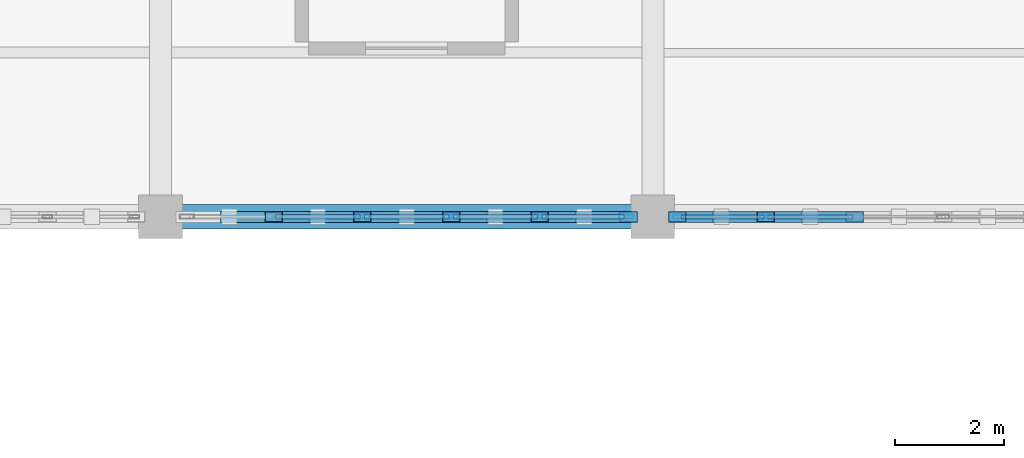
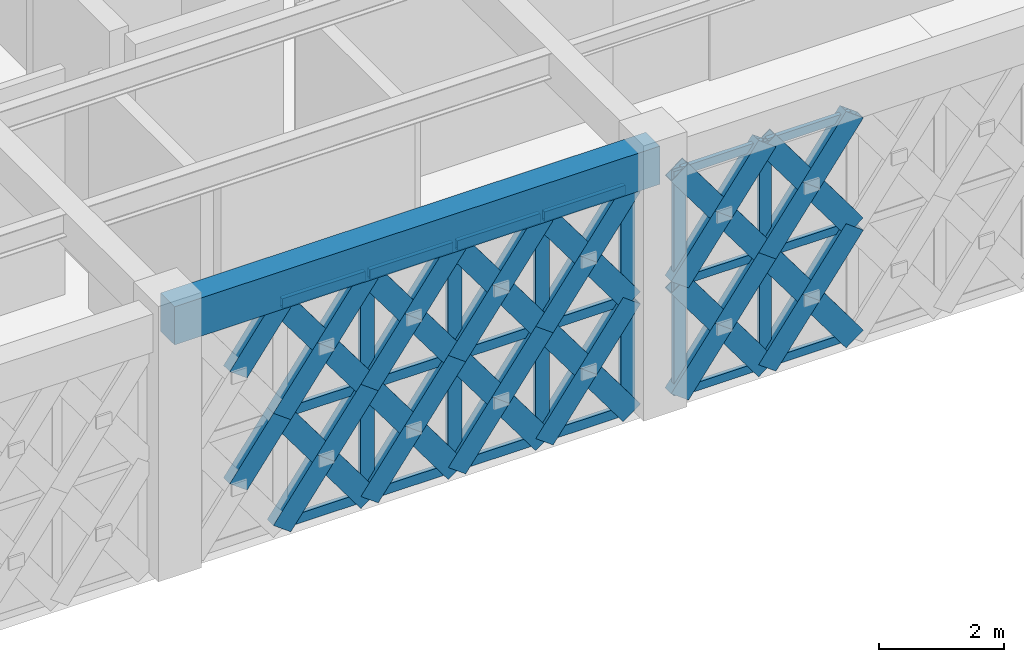
# One storey, part 36 of 86: 62 members, 1 beam, 2 elements without a shape of their own.
"""IFC4 building model written with IfcOpenShell, lengths in metres."""

from ifc_helpers import new_model, si_unit, direction, frame, origin, origin_2d, place, context, subcontext, project, spatial, rectangle, hollow_rectangle, extrude, material, material_profile, profile_set, type_object, element, aggregate, save


model = new_model("IFC4")

# Units and contexts
model_context = context("Model", 3, precision=1e-05, world=origin(), true_north=direction((0.0, 1.0)))
body_context = subcontext(model_context, "Body", "Model", "MODEL_VIEW")
ifc_project = project(units=[si_unit("LENGTHUNIT", "METRE"), si_unit("AREAUNIT", "SQUARE_METRE"), si_unit("VOLUMEUNIT", "CUBIC_METRE"), si_unit("PLANEANGLEUNIT", "RADIAN"), si_unit("MASSUNIT", "GRAM", prefix="KILO")], contexts=[model_context])

# Site, building, storey
site_placement = place(None, origin())
site = spatial("IfcSite", under=ifc_project, at=site_placement, CompositionType="ELEMENT")
building_placement = place(site_placement, origin())
building = spatial("IfcBuilding", under=site, at=building_placement, Name="Haizhuo Lancet Aquarium", CompositionType="ELEMENT")
storey_placement = place(building_placement, frame((0.0, 0.0, 16.199951171875)))
storey = spatial("IfcBuildingStorey", under=building, at=storey_placement, Name="L03", CompositionType="ELEMENT", Elevation=16.199951171875)

# Beam
ifc_material_1 = material(Name="Concrete C40/50", Category="concrete")
ifc_material_profile_1 = material_profile(ifc_material_1, rectangle(XDim=0.449951171875, YDim=0.75, at=origin_2d()), Name="RC-BM 450x750")
ifc_profile_set_1 = profile_set([ifc_material_profile_1], Name="Concrete C40/50")
beam_type = type_object("IfcBeamType", Name="BM-RC-450x750", PredefinedType="BEAM", material=ifc_profile_set_1)
beam_placement = place(storey_placement, frame((-9.0, 36.0, 4.775146484375), z_axis=(1.0, 0.0, 0.0), x_axis=(0.0, 1.0, 0.0)))
element("IfcBeam", 1, at=beam_placement, inside=storey, type_object=beam_type, Name="L03 V5 primary girder BM-L03-V5-009", PredefinedType="BEAM", context=body_context, shape_type="SweptSolid", body=[
    extrude(rectangle(XDim=0.449951171875, YDim=0.75, at=origin_2d()), origin(), (0.0, 0.0, 1.0), 9.0),
])

# Curtain wall, members
ifc_material_2 = material(Name="Aluminium 6063-T6", Category="aluminium")
curtain_wall_type = type_object("IfcCurtainWallType", Name="CWD-8110x4400", PredefinedType="NOTDEFINED", material=ifc_material_2)
curtain_wall_1_placement = place(storey_placement, origin())
curtain_wall_1 = element("IfcCurtainWall", 2, at=curtain_wall_1_placement, inside=storey, type_object=curtain_wall_type, Name="L03 curtain wall CW-V5-L03-170", PredefinedType="NOTDEFINED")
ifc_material_profile_2 = material_profile(ifc_material_2, hollow_rectangle(XDim=0.074951171875, YDim=0.219970703125, WallThickness=0.0048828125, at=origin_2d()), Name="ALU-M 75x220x5")
ifc_profile_set_2 = profile_set([ifc_material_profile_2], Name="Aluminium 6063-T6")
member_type_1 = type_object("IfcMemberType", Name="CW-MUL-2", PredefinedType="MULLION", material=ifc_profile_set_2)
member_1_placement = place(storey_placement, frame((2.06689453125, 36.0, 0.0), z_axis=(0.0, 0.0, 1.0), x_axis=(0.0, -1.0, 0.0)))
member_1 = element("IfcMember", 3, at=member_1_placement, type_object=member_type_1, Name="CWD-81x44 mullion 5", PredefinedType="MULLION", context=body_context, shape_type="SweptSolid", body=[
    extrude(hollow_rectangle(XDim=0.074951171875, YDim=0.219970703125, WallThickness=0.0048828125, at=origin_2d()), origin(), (0.0, 0.0, 1.0), 4.400146484375),
])
member_2_placement = place(storey_placement, frame((0.48193359375, 36.0, 0.0), z_axis=(0.0, 0.0, 1.0), x_axis=(0.0, -1.0, 0.0)))
member_2 = element("IfcMember", 4, at=member_2_placement, type_object=member_type_1, Name="CWD-81x44 mullion 6", PredefinedType="MULLION", context=body_context, shape_type="SweptSolid", body=[
    extrude(hollow_rectangle(XDim=0.074951171875, YDim=0.219970703125, WallThickness=0.0048828125, at=origin_2d()), origin(), (0.0, 0.0, 1.0), 4.400146484375),
])

curtain_wall_2_placement = place(storey_placement, origin())
curtain_wall_2 = element("IfcCurtainWall", 5, at=curtain_wall_2_placement, inside=storey, type_object=curtain_wall_type, Name="L03 curtain wall CW-V5-L03-171", PredefinedType="NOTDEFINED")
ifc_material_profile_3 = material_profile(ifc_material_2, hollow_rectangle(XDim=0.080078125, YDim=0.260009765625, WallThickness=0.0048828125, at=origin_2d()), Name="ALU-M 80x260x5")
ifc_profile_set_3 = profile_set([ifc_material_profile_3], Name="Aluminium 6063-T6")
member_type_2 = type_object("IfcMemberType", Name="CW-MUL-3", PredefinedType="MULLION", material=ifc_profile_set_3)
member_3_placement = place(storey_placement, frame((-0.485107421875, 36.0, 0.0), z_axis=(0.0, 0.0, 1.0), x_axis=(0.0, -1.0, 0.0)))
member_3 = element("IfcMember", 6, at=member_3_placement, type_object=member_type_2, Name="CWD-81x44 mullion 1", PredefinedType="MULLION", context=body_context, shape_type="SweptSolid", body=[
    extrude(hollow_rectangle(XDim=0.080078125, YDim=0.260009765625, WallThickness=0.0048828125, at=origin_2d()), origin(), (0.0, 0.0, 1.0), 4.400146484375),
])
member_4_placement = place(storey_placement, frame((-2.06689453125, 36.0, 0.0), z_axis=(0.0, 0.0, 1.0), x_axis=(0.0, -1.0, 0.0)))
member_4 = element("IfcMember", 7, at=member_4_placement, type_object=member_type_2, Name="CWD-81x44 mullion 2", PredefinedType="MULLION", context=body_context, shape_type="SweptSolid", body=[
    extrude(hollow_rectangle(XDim=0.080078125, YDim=0.260009765625, WallThickness=0.0048828125, at=origin_2d()), origin(), (0.0, 0.0, 1.0), 4.400146484375),
])
member_5_placement = place(storey_placement, frame((-3.68896484375, 36.0, 0.0), z_axis=(0.0, 0.0, 1.0), x_axis=(0.0, -1.0, 0.0)))
member_5 = element("IfcMember", 8, at=member_5_placement, type_object=member_type_2, Name="CWD-81x44 mullion 3", PredefinedType="MULLION", context=body_context, shape_type="SweptSolid", body=[
    extrude(hollow_rectangle(XDim=0.080078125, YDim=0.260009765625, WallThickness=0.0048828125, at=origin_2d()), origin(), (0.0, 0.0, 1.0), 4.400146484375),
])
member_6_placement = place(storey_placement, frame((-5.31103515625, 36.0, 0.0), z_axis=(0.0, 0.0, 1.0), x_axis=(0.0, -1.0, 0.0)))
member_6 = element("IfcMember", 9, at=member_6_placement, type_object=member_type_2, Name="CWD-81x44 mullion 4", PredefinedType="MULLION", context=body_context, shape_type="SweptSolid", body=[
    extrude(hollow_rectangle(XDim=0.080078125, YDim=0.260009765625, WallThickness=0.0048828125, at=origin_2d()), origin(), (0.0, 0.0, 1.0), 4.400146484375),
])

# Member
ifc_material_profile_4 = material_profile(ifc_material_2, hollow_rectangle(XDim=0.074951171875, YDim=0.159912109375, WallThickness=0.00390625, at=origin_2d()), Name="ALU-T 75x160x4")
ifc_profile_set_4 = profile_set([ifc_material_profile_4], Name="Aluminium 6063-T6")
member_type_3 = type_object("IfcMemberType", Name="CW-TRN-2", PredefinedType="NOTDEFINED", material=ifc_profile_set_4)
member_7_placement = place(storey_placement, frame((3.652099609375, 36.0, 0.0380859375), z_axis=(-1.0, 0.0, 0.0), x_axis=(0.0, -1.0, 0.0)))
member_7 = element("IfcMember", 10, at=member_7_placement, type_object=member_type_3, Name="CWD-81x44 transom 4.1", ObjectType="TRANSOM", PredefinedType="USERDEFINED", context=body_context, shape_type="SweptSolid", body=[
    extrude(hollow_rectangle(XDim=0.074951171875, YDim=0.159912109375, WallThickness=0.00390625, at=origin_2d()), origin(), (0.0, 0.0, 1.0), 1.548095703125),
])

member_8_placement = place(storey_placement, frame((3.652099609375, 36.0, 2.199951171875), z_axis=(-1.0, 0.0, 0.0), x_axis=(0.0, -1.0, 0.0)))
member_8 = element("IfcMember", 11, at=member_8_placement, type_object=member_type_3, Name="CWD-81x44 transom 4.2", ObjectType="TRANSOM", PredefinedType="USERDEFINED", context=body_context, shape_type="SweptSolid", body=[
    extrude(hollow_rectangle(XDim=0.074951171875, YDim=0.159912109375, WallThickness=0.00390625, at=origin_2d()), origin(), (0.0, 0.0, 1.0), 1.548095703125),
])

member_9_placement = place(storey_placement, frame((3.652099609375, 36.0, 4.362060546875), z_axis=(-1.0, 0.0, 0.0), x_axis=(0.0, -1.0, 0.0)))
member_9 = element("IfcMember", 12, at=member_9_placement, type_object=member_type_3, Name="CWD-81x44 transom 4.3", ObjectType="TRANSOM", PredefinedType="USERDEFINED", context=body_context, shape_type="SweptSolid", body=[
    extrude(hollow_rectangle(XDim=0.074951171875, YDim=0.159912109375, WallThickness=0.00390625, at=origin_2d()), origin(), (0.0, 0.0, 1.0), 1.548095703125),
])

member_10_placement = place(storey_placement, frame((2.030029296875, 36.0, 0.0380859375), z_axis=(-1.0, 0.0, 0.0), x_axis=(0.0, -1.0, 0.0)))
member_10 = element("IfcMember", 13, at=member_10_placement, type_object=member_type_3, Name="CWD-81x44 transom 5.1", ObjectType="TRANSOM", PredefinedType="USERDEFINED", context=body_context, shape_type="SweptSolid", body=[
    extrude(hollow_rectangle(XDim=0.074951171875, YDim=0.159912109375, WallThickness=0.00390625, at=origin_2d()), origin(), (0.0, 0.0, 1.0), 1.510009765625),
])

member_11_placement = place(storey_placement, frame((2.030029296875, 36.0, 2.199951171875), z_axis=(-1.0, 0.0, 0.0), x_axis=(0.0, -1.0, 0.0)))
member_11 = element("IfcMember", 14, at=member_11_placement, type_object=member_type_3, Name="CWD-81x44 transom 5.2", ObjectType="TRANSOM", PredefinedType="USERDEFINED", context=body_context, shape_type="SweptSolid", body=[
    extrude(hollow_rectangle(XDim=0.074951171875, YDim=0.159912109375, WallThickness=0.00390625, at=origin_2d()), origin(), (0.0, 0.0, 1.0), 1.510009765625),
])

member_12_placement = place(storey_placement, frame((2.030029296875, 36.0, 4.362060546875), z_axis=(-1.0, 0.0, 0.0), x_axis=(0.0, -1.0, 0.0)))
member_12 = element("IfcMember", 15, at=member_12_placement, type_object=member_type_3, Name="CWD-81x44 transom 5.3", ObjectType="TRANSOM", PredefinedType="USERDEFINED", context=body_context, shape_type="SweptSolid", body=[
    extrude(hollow_rectangle(XDim=0.074951171875, YDim=0.159912109375, WallThickness=0.00390625, at=origin_2d()), origin(), (0.0, 0.0, 1.0), 1.510009765625),
])

aggregate(curtain_wall_1, [member_1, member_2, member_7, member_8, member_9, member_10, member_11, member_12])

ifc_material_profile_5 = material_profile(ifc_material_2, hollow_rectangle(XDim=0.080078125, YDim=0.18994140625, WallThickness=0.0048828125, at=origin_2d()), Name="ALU-T 80x190x5")
ifc_profile_set_5 = profile_set([ifc_material_profile_5], Name="Aluminium 6063-T6")
member_type_4 = type_object("IfcMemberType", Name="CW-TRN-3", PredefinedType="NOTDEFINED", material=ifc_profile_set_5)
member_13_placement = place(storey_placement, frame((-0.52490234375, 36.0, 0.0400390625), z_axis=(-1.0, 0.0, 0.0), x_axis=(0.0, -1.0, 0.0)))
member_13 = element("IfcMember", 16, at=member_13_placement, type_object=member_type_4, Name="CWD-81x44 transom 1.1", ObjectType="TRANSOM", PredefinedType="USERDEFINED", context=body_context, shape_type="SweptSolid", body=[
    extrude(hollow_rectangle(XDim=0.080078125, YDim=0.18994140625, WallThickness=0.0048828125, at=origin_2d()), origin(), (0.0, 0.0, 1.0), 1.502197265625),
])

member_14_placement = place(storey_placement, frame((-0.52490234375, 36.0, 2.199951171875), z_axis=(-1.0, 0.0, 0.0), x_axis=(0.0, -1.0, 0.0)))
member_14 = element("IfcMember", 17, at=member_14_placement, type_object=member_type_4, Name="CWD-81x44 transom 1.2", ObjectType="TRANSOM", PredefinedType="USERDEFINED", context=body_context, shape_type="SweptSolid", body=[
    extrude(hollow_rectangle(XDim=0.080078125, YDim=0.18994140625, WallThickness=0.0048828125, at=origin_2d()), origin(), (0.0, 0.0, 1.0), 1.502197265625),
])

member_15_placement = place(storey_placement, frame((-0.52490234375, 36.0, 4.360107421875), z_axis=(-1.0, 0.0, 0.0), x_axis=(0.0, -1.0, 0.0)))
member_15 = element("IfcMember", 18, at=member_15_placement, type_object=member_type_4, Name="CWD-81x44 transom 1.3", ObjectType="TRANSOM", PredefinedType="USERDEFINED", context=body_context, shape_type="SweptSolid", body=[
    extrude(hollow_rectangle(XDim=0.080078125, YDim=0.18994140625, WallThickness=0.0048828125, at=origin_2d()), origin(), (0.0, 0.0, 1.0), 1.502197265625),
])

member_16_placement = place(storey_placement, frame((-2.10693359375, 36.0, 0.0400390625), z_axis=(-1.0, 0.0, 0.0), x_axis=(0.0, -1.0, 0.0)))
member_16 = element("IfcMember", 19, at=member_16_placement, type_object=member_type_4, Name="CWD-81x44 transom 2.1", ObjectType="TRANSOM", PredefinedType="USERDEFINED", context=body_context, shape_type="SweptSolid", body=[
    extrude(hollow_rectangle(XDim=0.080078125, YDim=0.18994140625, WallThickness=0.0048828125, at=origin_2d()), origin(), (0.0, 0.0, 1.0), 1.5419921875),
])

member_17_placement = place(storey_placement, frame((-2.10693359375, 36.0, 2.199951171875), z_axis=(-1.0, 0.0, 0.0), x_axis=(0.0, -1.0, 0.0)))
member_17 = element("IfcMember", 20, at=member_17_placement, type_object=member_type_4, Name="CWD-81x44 transom 2.2", ObjectType="TRANSOM", PredefinedType="USERDEFINED", context=body_context, shape_type="SweptSolid", body=[
    extrude(hollow_rectangle(XDim=0.080078125, YDim=0.18994140625, WallThickness=0.0048828125, at=origin_2d()), origin(), (0.0, 0.0, 1.0), 1.5419921875),
])

member_18_placement = place(storey_placement, frame((-2.10693359375, 36.0, 4.360107421875), z_axis=(-1.0, 0.0, 0.0), x_axis=(0.0, -1.0, 0.0)))
member_18 = element("IfcMember", 21, at=member_18_placement, type_object=member_type_4, Name="CWD-81x44 transom 2.3", ObjectType="TRANSOM", PredefinedType="USERDEFINED", context=body_context, shape_type="SweptSolid", body=[
    extrude(hollow_rectangle(XDim=0.080078125, YDim=0.18994140625, WallThickness=0.0048828125, at=origin_2d()), origin(), (0.0, 0.0, 1.0), 1.5419921875),
])

member_19_placement = place(storey_placement, frame((-3.72900390625, 36.0, 0.0400390625), z_axis=(-1.0, 0.0, 0.0), x_axis=(0.0, -1.0, 0.0)))
member_19 = element("IfcMember", 22, at=member_19_placement, type_object=member_type_4, Name="CWD-81x44 transom 3.1", ObjectType="TRANSOM", PredefinedType="USERDEFINED", context=body_context, shape_type="SweptSolid", body=[
    extrude(hollow_rectangle(XDim=0.080078125, YDim=0.18994140625, WallThickness=0.0048828125, at=origin_2d()), origin(), (0.0, 0.0, 1.0), 1.5419921875),
])

member_20_placement = place(storey_placement, frame((-3.72900390625, 36.0, 2.199951171875), z_axis=(-1.0, 0.0, 0.0), x_axis=(0.0, -1.0, 0.0)))
member_20 = element("IfcMember", 23, at=member_20_placement, type_object=member_type_4, Name="CWD-81x44 transom 3.2", ObjectType="TRANSOM", PredefinedType="USERDEFINED", context=body_context, shape_type="SweptSolid", body=[
    extrude(hollow_rectangle(XDim=0.080078125, YDim=0.18994140625, WallThickness=0.0048828125, at=origin_2d()), origin(), (0.0, 0.0, 1.0), 1.5419921875),
])

member_21_placement = place(storey_placement, frame((-3.72900390625, 36.0, 4.360107421875), z_axis=(-1.0, 0.0, 0.0), x_axis=(0.0, -1.0, 0.0)))
member_21 = element("IfcMember", 24, at=member_21_placement, type_object=member_type_4, Name="CWD-81x44 transom 3.3", ObjectType="TRANSOM", PredefinedType="USERDEFINED", context=body_context, shape_type="SweptSolid", body=[
    extrude(hollow_rectangle(XDim=0.080078125, YDim=0.18994140625, WallThickness=0.0048828125, at=origin_2d()), origin(), (0.0, 0.0, 1.0), 1.5419921875),
])

member_22_placement = place(storey_placement, frame((-5.35107421875, 36.0, 0.0400390625), z_axis=(-1.0, 0.0, 0.0), x_axis=(0.0, -1.0, 0.0)))
member_22 = element("IfcMember", 25, at=member_22_placement, type_object=member_type_4, Name="CWD-81x44 transom 4.1", ObjectType="TRANSOM", PredefinedType="USERDEFINED", context=body_context, shape_type="SweptSolid", body=[
    extrude(hollow_rectangle(XDim=0.080078125, YDim=0.18994140625, WallThickness=0.0048828125, at=origin_2d()), origin(), (0.0, 0.0, 1.0), 1.5419921875),
])

member_23_placement = place(storey_placement, frame((-5.35107421875, 36.0, 2.199951171875), z_axis=(-1.0, 0.0, 0.0), x_axis=(0.0, -1.0, 0.0)))
member_23 = element("IfcMember", 26, at=member_23_placement, type_object=member_type_4, Name="CWD-81x44 transom 4.2", ObjectType="TRANSOM", PredefinedType="USERDEFINED", context=body_context, shape_type="SweptSolid", body=[
    extrude(hollow_rectangle(XDim=0.080078125, YDim=0.18994140625, WallThickness=0.0048828125, at=origin_2d()), origin(), (0.0, 0.0, 1.0), 1.5419921875),
])

member_24_placement = place(storey_placement, frame((-5.35107421875, 36.0, 4.360107421875), z_axis=(-1.0, 0.0, 0.0), x_axis=(0.0, -1.0, 0.0)))
member_24 = element("IfcMember", 27, at=member_24_placement, type_object=member_type_4, Name="CWD-81x44 transom 4.3", ObjectType="TRANSOM", PredefinedType="USERDEFINED", context=body_context, shape_type="SweptSolid", body=[
    extrude(hollow_rectangle(XDim=0.080078125, YDim=0.18994140625, WallThickness=0.0048828125, at=origin_2d()), origin(), (0.0, 0.0, 1.0), 1.5419921875),
])

aggregate(curtain_wall_2, [member_3, member_4, member_5, member_6, member_13, member_14, member_15, member_16, member_17, member_18, member_19, member_20, member_21, member_22, member_23, member_24])

# Members
ifc_material_3 = material(Name="Steel S355", Category="steel")
ifc_material_profile_6 = material_profile(ifc_material_3, hollow_rectangle(XDim=0.199951171875, YDim=0.39990234375, WallThickness=0.011962890625, at=origin_2d()), Name="RHS 200x400x12")
ifc_profile_set_6 = profile_set([ifc_material_profile_6], Name="Steel S355")
member_type_5 = type_object("IfcMemberType", Name="MEM-LB-RHS200x400", PredefinedType="BRACE", material=ifc_profile_set_6)
member_25_placement = place(storey_placement, frame((3.68896484375, 36.0, 0.0), z_axis=(-0.59344885176, 0.0, 0.804871704276), x_axis=(0.0, -1.0, 0.0)))
element("IfcMember", 28, at=member_25_placement, inside=storey, type_object=member_type_5, Name="Gothic lancet continuous diagonal brace CW-V5-L03-170 7A", PredefinedType="BRACE", context=body_context, shape_type="SweptSolid", body=[
    extrude(hollow_rectangle(XDim=0.199951171875, YDim=0.39990234375, WallThickness=0.011962890625, at=origin_2d()), origin(), (0.0, 0.0, 1.0), 2.7333984375),
])
member_26_placement = place(storey_placement, frame((2.06689453125, 36.0, 0.0), z_axis=(0.593406189792, 0.0, 0.804903158098), x_axis=(0.0, 1.0, 0.0)))
element("IfcMember", 29, at=member_26_placement, inside=storey, type_object=member_type_5, Name="Gothic lancet split diagonal brace CW-V5-L03-170 7B1", PredefinedType="BRACE", context=body_context, shape_type="SweptSolid", body=[
    extrude(hollow_rectangle(XDim=0.199951171875, YDim=0.39990234375, WallThickness=0.011962890625, at=origin_2d()), origin(), (0.0, 0.0, 1.0), 1.36669921875),
])
member_27_placement = place(storey_placement, frame((2.8779296875, 36.0, 1.10009765625), z_axis=(0.593491518195, 0.0, 0.80484024367), x_axis=(0.0, 1.0, 0.0)))
element("IfcMember", 30, at=member_27_placement, inside=storey, type_object=member_type_5, Name="Gothic lancet split diagonal brace CW-V5-L03-170 7B2", PredefinedType="BRACE", context=body_context, shape_type="SweptSolid", body=[
    extrude(hollow_rectangle(XDim=0.199951171875, YDim=0.39990234375, WallThickness=0.011962890625, at=origin_2d()), origin(), (0.0, 0.0, 1.0), 1.366455078125),
])
member_28_placement = place(storey_placement, frame((3.68896484375, 36.0, 2.199951171875), z_axis=(-0.593406189792, 0.0, 0.804903158098), x_axis=(0.0, -1.0, 0.0)))
element("IfcMember", 31, at=member_28_placement, inside=storey, type_object=member_type_5, Name="Gothic lancet continuous diagonal brace CW-V5-L03-170 8A", PredefinedType="BRACE", context=body_context, shape_type="SweptSolid", body=[
    extrude(hollow_rectangle(XDim=0.199951171875, YDim=0.39990234375, WallThickness=0.011962890625, at=origin_2d()), origin(), (0.0, 0.0, 1.0), 2.7333984375),
])
for number, where, z_axis, x_axis, name in (
    (32, (2.06689453125, 36.0, 2.199951171875), (0.593406189792, 0.0, 0.804903158098), (0.0, 1.0, 0.0), "Gothic lancet split diagonal brace CW-V5-L03-170 8B1"),
    (33, (2.8779296875, 36.0, 3.300048828125), (0.593406189792, 0.0, 0.804903158098), (0.0, 1.0, 0.0), "Gothic lancet split diagonal brace CW-V5-L03-170 8B2"),
):
    element("IfcMember", number, at=place(storey_placement, frame(where, z_axis=z_axis, x_axis=x_axis)), inside=storey, type_object=member_type_5, Name=name, PredefinedType="BRACE", context=body_context, shape_type="SweptSolid", body=[
        extrude(hollow_rectangle(XDim=0.199951171875, YDim=0.39990234375, WallThickness=0.011962890625, at=origin_2d()), origin(), (0.0, 0.0, 1.0), 1.36669921875),
    ])
member_29_placement = place(storey_placement, frame((2.06689453125, 36.0, 0.0), z_axis=(-0.593390983354, 0.0, 0.804914368659), x_axis=(0.0, -1.0, 0.0)))
element("IfcMember", 34, at=member_29_placement, inside=storey, type_object=member_type_5, Name="Gothic lancet continuous diagonal brace CW-V5-L03-170 9A", PredefinedType="BRACE", context=body_context, shape_type="SweptSolid", body=[
    extrude(hollow_rectangle(XDim=0.199951171875, YDim=0.39990234375, WallThickness=0.011962890625, at=origin_2d()), origin(), (0.0, 0.0, 1.0), 2.733154296875),
])
member_30_placement = place(storey_placement, frame((0.445068359375, 36.0, 0.0), z_axis=(0.593406189792, 0.0, 0.804903158098), x_axis=(0.0, 1.0, 0.0)))
element("IfcMember", 35, at=member_30_placement, inside=storey, type_object=member_type_5, Name="Gothic lancet split diagonal brace CW-V5-L03-170 9B1", PredefinedType="BRACE", context=body_context, shape_type="SweptSolid", body=[
    extrude(hollow_rectangle(XDim=0.199951171875, YDim=0.39990234375, WallThickness=0.011962890625, at=origin_2d()), origin(), (0.0, 0.0, 1.0), 1.36669921875),
])
member_31_placement = place(storey_placement, frame((1.256103515625, 36.0, 1.10009765625), z_axis=(0.593375772905, 0.0, 0.804925581734), x_axis=(0.0, 1.0, 0.0)))
element("IfcMember", 36, at=member_31_placement, inside=storey, type_object=member_type_5, Name="Gothic lancet split diagonal brace CW-V5-L03-170 9B2", PredefinedType="BRACE", context=body_context, shape_type="SweptSolid", body=[
    extrude(hollow_rectangle(XDim=0.199951171875, YDim=0.39990234375, WallThickness=0.011962890625, at=origin_2d()), origin(), (0.0, 0.0, 1.0), 1.366455078125),
])
member_32_placement = place(storey_placement, frame((2.06689453125, 36.0, 2.199951171875), z_axis=(-0.593348321024, 0.0, 0.804945818014), x_axis=(0.0, -1.0, 0.0)))
element("IfcMember", 37, at=member_32_placement, inside=storey, type_object=member_type_5, Name="Gothic lancet continuous diagonal brace CW-V5-L03-170 10A", PredefinedType="BRACE", context=body_context, shape_type="SweptSolid", body=[
    extrude(hollow_rectangle(XDim=0.199951171875, YDim=0.39990234375, WallThickness=0.011962890625, at=origin_2d()), origin(), (0.0, 0.0, 1.0), 2.7333984375),
])
for number, where, z_axis, x_axis, name in (
    (38, (0.445068359375, 36.0, 2.199951171875), (0.593406189792, 0.0, 0.804903158098), (0.0, 1.0, 0.0), "Gothic lancet split diagonal brace CW-V5-L03-170 10B1"),
    (39, (1.256103515625, 36.0, 3.300048828125), (0.593290443054, 0.0, 0.80498847829), (0.0, 1.0, 0.0), "Gothic lancet split diagonal brace CW-V5-L03-170 10B2"),
):
    element("IfcMember", number, at=place(storey_placement, frame(where, z_axis=z_axis, x_axis=x_axis)), inside=storey, type_object=member_type_5, Name=name, PredefinedType="BRACE", context=body_context, shape_type="SweptSolid", body=[
        extrude(hollow_rectangle(XDim=0.199951171875, YDim=0.39990234375, WallThickness=0.011962890625, at=origin_2d()), origin(), (0.0, 0.0, 1.0), 1.36669921875),
    ])
member_33_placement = place(storey_placement, frame((-0.445068359375, 36.0, 0.0), z_axis=(-0.593390983354, 0.0, 0.804914368659), x_axis=(0.0, -1.0, 0.0)))
element("IfcMember", 40, at=member_33_placement, inside=storey, type_object=member_type_5, Name="Gothic lancet continuous diagonal brace CW-V5-L03-171 1A", PredefinedType="BRACE", context=body_context, shape_type="SweptSolid", body=[
    extrude(hollow_rectangle(XDim=0.199951171875, YDim=0.39990234375, WallThickness=0.011962890625, at=origin_2d()), origin(), (0.0, 0.0, 1.0), 2.733154296875),
])
member_34_placement = place(storey_placement, frame((-2.06689453125, 36.0, 0.0), z_axis=(0.593290443054, 0.0, 0.80498847829), x_axis=(0.0, 1.0, 0.0)))
element("IfcMember", 41, at=member_34_placement, inside=storey, type_object=member_type_5, Name="Gothic lancet split diagonal brace CW-V5-L03-171 1B1", PredefinedType="BRACE", context=body_context, shape_type="SweptSolid", body=[
    extrude(hollow_rectangle(XDim=0.199951171875, YDim=0.39990234375, WallThickness=0.011962890625, at=origin_2d()), origin(), (0.0, 0.0, 1.0), 1.36669921875),
])
member_35_placement = place(storey_placement, frame((-1.256103515625, 36.0, 1.10009765625), z_axis=(0.593491518195, 0.0, 0.80484024367), x_axis=(0.0, 1.0, 0.0)))
element("IfcMember", 42, at=member_35_placement, inside=storey, type_object=member_type_5, Name="Gothic lancet split diagonal brace CW-V5-L03-171 1B2", PredefinedType="BRACE", context=body_context, shape_type="SweptSolid", body=[
    extrude(hollow_rectangle(XDim=0.199951171875, YDim=0.39990234375, WallThickness=0.011962890625, at=origin_2d()), origin(), (0.0, 0.0, 1.0), 1.366455078125),
])
member_36_placement = place(storey_placement, frame((-0.445068359375, 36.0, 2.199951171875), z_axis=(-0.593348321024, 0.0, 0.804945818014), x_axis=(0.0, -1.0, 0.0)))
element("IfcMember", 43, at=member_36_placement, inside=storey, type_object=member_type_5, Name="Gothic lancet continuous diagonal brace CW-V5-L03-171 2A", PredefinedType="BRACE", context=body_context, shape_type="SweptSolid", body=[
    extrude(hollow_rectangle(XDim=0.199951171875, YDim=0.39990234375, WallThickness=0.011962890625, at=origin_2d()), origin(), (0.0, 0.0, 1.0), 2.7333984375),
])
for number, where, z_axis, x_axis, name in (
    (44, (-2.06689453125, 36.0, 2.199951171875), (0.593290443054, 0.0, 0.80498847829), (0.0, 1.0, 0.0), "Gothic lancet split diagonal brace CW-V5-L03-171 2B1"),
    (45, (-1.256103515625, 36.0, 3.300048828125), (0.593406189792, 0.0, 0.804903158098), (0.0, 1.0, 0.0), "Gothic lancet split diagonal brace CW-V5-L03-171 2B2"),
):
    element("IfcMember", number, at=place(storey_placement, frame(where, z_axis=z_axis, x_axis=x_axis)), inside=storey, type_object=member_type_5, Name=name, PredefinedType="BRACE", context=body_context, shape_type="SweptSolid", body=[
        extrude(hollow_rectangle(XDim=0.199951171875, YDim=0.39990234375, WallThickness=0.011962890625, at=origin_2d()), origin(), (0.0, 0.0, 1.0), 1.36669921875),
    ])
member_37_placement = place(storey_placement, frame((-2.06689453125, 36.0, 0.0), z_axis=(-0.59344885176, 0.0, 0.804871704276), x_axis=(0.0, -1.0, 0.0)))
element("IfcMember", 46, at=member_37_placement, inside=storey, type_object=member_type_5, Name="Gothic lancet continuous diagonal brace CW-V5-L03-171 3A", PredefinedType="BRACE", context=body_context, shape_type="SweptSolid", body=[
    extrude(hollow_rectangle(XDim=0.199951171875, YDim=0.39990234375, WallThickness=0.011962890625, at=origin_2d()), origin(), (0.0, 0.0, 1.0), 2.7333984375),
])
member_38_placement = place(storey_placement, frame((-3.68896484375, 36.0, 0.0), z_axis=(0.593406189792, 0.0, 0.804903158098), x_axis=(0.0, 1.0, 0.0)))
element("IfcMember", 47, at=member_38_placement, inside=storey, type_object=member_type_5, Name="Gothic lancet split diagonal brace CW-V5-L03-171 3B1", PredefinedType="BRACE", context=body_context, shape_type="SweptSolid", body=[
    extrude(hollow_rectangle(XDim=0.199951171875, YDim=0.39990234375, WallThickness=0.011962890625, at=origin_2d()), origin(), (0.0, 0.0, 1.0), 1.36669921875),
])
member_39_placement = place(storey_placement, frame((-2.8779296875, 36.0, 1.10009765625), z_axis=(0.593491518195, 0.0, 0.80484024367), x_axis=(0.0, 1.0, 0.0)))
element("IfcMember", 48, at=member_39_placement, inside=storey, type_object=member_type_5, Name="Gothic lancet split diagonal brace CW-V5-L03-171 3B2", PredefinedType="BRACE", context=body_context, shape_type="SweptSolid", body=[
    extrude(hollow_rectangle(XDim=0.199951171875, YDim=0.39990234375, WallThickness=0.011962890625, at=origin_2d()), origin(), (0.0, 0.0, 1.0), 1.366455078125),
])
member_40_placement = place(storey_placement, frame((-2.06689453125, 36.0, 2.199951171875), z_axis=(-0.593406189792, 0.0, 0.804903158098), x_axis=(0.0, -1.0, 0.0)))
element("IfcMember", 49, at=member_40_placement, inside=storey, type_object=member_type_5, Name="Gothic lancet continuous diagonal brace CW-V5-L03-171 4A", PredefinedType="BRACE", context=body_context, shape_type="SweptSolid", body=[
    extrude(hollow_rectangle(XDim=0.199951171875, YDim=0.39990234375, WallThickness=0.011962890625, at=origin_2d()), origin(), (0.0, 0.0, 1.0), 2.7333984375),
])
for number, where, z_axis, x_axis, name in (
    (50, (-3.68896484375, 36.0, 2.199951171875), (0.593406189792, 0.0, 0.804903158098), (0.0, 1.0, 0.0), "Gothic lancet split diagonal brace CW-V5-L03-171 4B1"),
    (51, (-2.8779296875, 36.0, 3.300048828125), (0.593406189792, 0.0, 0.804903158098), (0.0, 1.0, 0.0), "Gothic lancet split diagonal brace CW-V5-L03-171 4B2"),
):
    element("IfcMember", number, at=place(storey_placement, frame(where, z_axis=z_axis, x_axis=x_axis)), inside=storey, type_object=member_type_5, Name=name, PredefinedType="BRACE", context=body_context, shape_type="SweptSolid", body=[
        extrude(hollow_rectangle(XDim=0.199951171875, YDim=0.39990234375, WallThickness=0.011962890625, at=origin_2d()), origin(), (0.0, 0.0, 1.0), 1.36669921875),
    ])
member_41_placement = place(storey_placement, frame((-3.68896484375, 36.0, 0.0), z_axis=(-0.59344885176, 0.0, 0.804871704276), x_axis=(0.0, -1.0, 0.0)))
element("IfcMember", 52, at=member_41_placement, inside=storey, type_object=member_type_5, Name="Gothic lancet continuous diagonal brace CW-V5-L03-171 5A", PredefinedType="BRACE", context=body_context, shape_type="SweptSolid", body=[
    extrude(hollow_rectangle(XDim=0.199951171875, YDim=0.39990234375, WallThickness=0.011962890625, at=origin_2d()), origin(), (0.0, 0.0, 1.0), 2.7333984375),
])
member_42_placement = place(storey_placement, frame((-5.31103515625, 36.0, 0.0), z_axis=(0.593406189792, 0.0, 0.804903158098), x_axis=(0.0, 1.0, 0.0)))
element("IfcMember", 53, at=member_42_placement, inside=storey, type_object=member_type_5, Name="Gothic lancet split diagonal brace CW-V5-L03-171 5B1", PredefinedType="BRACE", context=body_context, shape_type="SweptSolid", body=[
    extrude(hollow_rectangle(XDim=0.199951171875, YDim=0.39990234375, WallThickness=0.011962890625, at=origin_2d()), origin(), (0.0, 0.0, 1.0), 1.36669921875),
])
member_43_placement = place(storey_placement, frame((-4.5, 36.0, 1.10009765625), z_axis=(0.593491518195, 0.0, 0.80484024367), x_axis=(0.0, 1.0, 0.0)))
element("IfcMember", 54, at=member_43_placement, inside=storey, type_object=member_type_5, Name="Gothic lancet split diagonal brace CW-V5-L03-171 5B2", PredefinedType="BRACE", context=body_context, shape_type="SweptSolid", body=[
    extrude(hollow_rectangle(XDim=0.199951171875, YDim=0.39990234375, WallThickness=0.011962890625, at=origin_2d()), origin(), (0.0, 0.0, 1.0), 1.366455078125),
])
member_44_placement = place(storey_placement, frame((-3.68896484375, 36.0, 2.199951171875), z_axis=(-0.593406189792, 0.0, 0.804903158098), x_axis=(0.0, -1.0, 0.0)))
element("IfcMember", 55, at=member_44_placement, inside=storey, type_object=member_type_5, Name="Gothic lancet continuous diagonal brace CW-V5-L03-171 6A", PredefinedType="BRACE", context=body_context, shape_type="SweptSolid", body=[
    extrude(hollow_rectangle(XDim=0.199951171875, YDim=0.39990234375, WallThickness=0.011962890625, at=origin_2d()), origin(), (0.0, 0.0, 1.0), 2.7333984375),
])
for number, where, z_axis, x_axis, name in (
    (56, (-5.31103515625, 36.0, 2.199951171875), (0.593406189792, 0.0, 0.804903158098), (0.0, 1.0, 0.0), "Gothic lancet split diagonal brace CW-V5-L03-171 6B1"),
    (57, (-4.5, 36.0, 3.300048828125), (0.593406189792, 0.0, 0.804903158098), (0.0, 1.0, 0.0), "Gothic lancet split diagonal brace CW-V5-L03-171 6B2"),
):
    element("IfcMember", number, at=place(storey_placement, frame(where, z_axis=z_axis, x_axis=x_axis)), inside=storey, type_object=member_type_5, Name=name, PredefinedType="BRACE", context=body_context, shape_type="SweptSolid", body=[
        extrude(hollow_rectangle(XDim=0.199951171875, YDim=0.39990234375, WallThickness=0.011962890625, at=origin_2d()), origin(), (0.0, 0.0, 1.0), 1.36669921875),
    ])
member_45_placement = place(storey_placement, frame((-5.31103515625, 36.0, 0.0), z_axis=(-0.59344885176, 0.0, 0.804871704276), x_axis=(0.0, -1.0, 0.0)))
element("IfcMember", 58, at=member_45_placement, inside=storey, type_object=member_type_5, Name="Gothic lancet continuous diagonal brace CW-V5-L03-171 7A", PredefinedType="BRACE", context=body_context, shape_type="SweptSolid", body=[
    extrude(hollow_rectangle(XDim=0.199951171875, YDim=0.39990234375, WallThickness=0.011962890625, at=origin_2d()), origin(), (0.0, 0.0, 1.0), 2.7333984375),
])
member_46_placement = place(storey_placement, frame((-6.93310546875, 36.0, 0.0), z_axis=(0.593406189792, 0.0, 0.804903158098), x_axis=(0.0, 1.0, 0.0)))
element("IfcMember", 59, at=member_46_placement, inside=storey, type_object=member_type_5, Name="Gothic lancet split diagonal brace CW-V5-L03-171 7B1", PredefinedType="BRACE", context=body_context, shape_type="SweptSolid", body=[
    extrude(hollow_rectangle(XDim=0.199951171875, YDim=0.39990234375, WallThickness=0.011962890625, at=origin_2d()), origin(), (0.0, 0.0, 1.0), 1.36669921875),
])
member_47_placement = place(storey_placement, frame((-6.1220703125, 36.0, 1.10009765625), z_axis=(0.593491518195, 0.0, 0.80484024367), x_axis=(0.0, 1.0, 0.0)))
element("IfcMember", 60, at=member_47_placement, inside=storey, type_object=member_type_5, Name="Gothic lancet split diagonal brace CW-V5-L03-171 7B2", PredefinedType="BRACE", context=body_context, shape_type="SweptSolid", body=[
    extrude(hollow_rectangle(XDim=0.199951171875, YDim=0.39990234375, WallThickness=0.011962890625, at=origin_2d()), origin(), (0.0, 0.0, 1.0), 1.366455078125),
])
member_48_placement = place(storey_placement, frame((-5.31103515625, 36.0, 2.199951171875), z_axis=(-0.593406189792, 0.0, 0.804903158098), x_axis=(0.0, -1.0, 0.0)))
element("IfcMember", 61, at=member_48_placement, inside=storey, type_object=member_type_5, Name="Gothic lancet continuous diagonal brace CW-V5-L03-171 8A", PredefinedType="BRACE", context=body_context, shape_type="SweptSolid", body=[
    extrude(hollow_rectangle(XDim=0.199951171875, YDim=0.39990234375, WallThickness=0.011962890625, at=origin_2d()), origin(), (0.0, 0.0, 1.0), 2.7333984375),
])
for number, where, z_axis, x_axis, name in (
    (62, (-6.93310546875, 36.0, 2.199951171875), (0.593406189792, 0.0, 0.804903158098), (0.0, 1.0, 0.0), "Gothic lancet split diagonal brace CW-V5-L03-171 8B1"),
    (63, (-6.1220703125, 36.0, 3.300048828125), (0.593406189792, 0.0, 0.804903158098), (0.0, 1.0, 0.0), "Gothic lancet split diagonal brace CW-V5-L03-171 8B2"),
):
    element("IfcMember", number, at=place(storey_placement, frame(where, z_axis=z_axis, x_axis=x_axis)), inside=storey, type_object=member_type_5, Name=name, PredefinedType="BRACE", context=body_context, shape_type="SweptSolid", body=[
        extrude(hollow_rectangle(XDim=0.199951171875, YDim=0.39990234375, WallThickness=0.011962890625, at=origin_2d()), origin(), (0.0, 0.0, 1.0), 1.36669921875),
    ])
member_49_placement = place(storey_placement, frame((-7.743896484375, 36.0, 1.10009765625), z_axis=(0.593375772905, 0.0, 0.804925581734), x_axis=(0.0, 1.0, 0.0)))
element("IfcMember", 64, at=member_49_placement, inside=storey, type_object=member_type_5, Name="Gothic lancet split diagonal brace CW-V5-L03-171 9B2", PredefinedType="BRACE", context=body_context, shape_type="SweptSolid", body=[
    extrude(hollow_rectangle(XDim=0.199951171875, YDim=0.39990234375, WallThickness=0.011962890625, at=origin_2d()), origin(), (0.0, 0.0, 1.0), 1.366455078125),
])
member_50_placement = place(storey_placement, frame((-7.743896484375, 36.0, 3.300048828125), z_axis=(0.593290443054, 0.0, 0.80498847829), x_axis=(0.0, 1.0, 0.0)))
element("IfcMember", 65, at=member_50_placement, inside=storey, type_object=member_type_5, Name="Gothic lancet split diagonal brace CW-V5-L03-171 10B2", PredefinedType="BRACE", context=body_context, shape_type="SweptSolid", body=[
    extrude(hollow_rectangle(XDim=0.199951171875, YDim=0.39990234375, WallThickness=0.011962890625, at=origin_2d()), origin(), (0.0, 0.0, 1.0), 1.36669921875),
])

save(model, "model.ifc")
